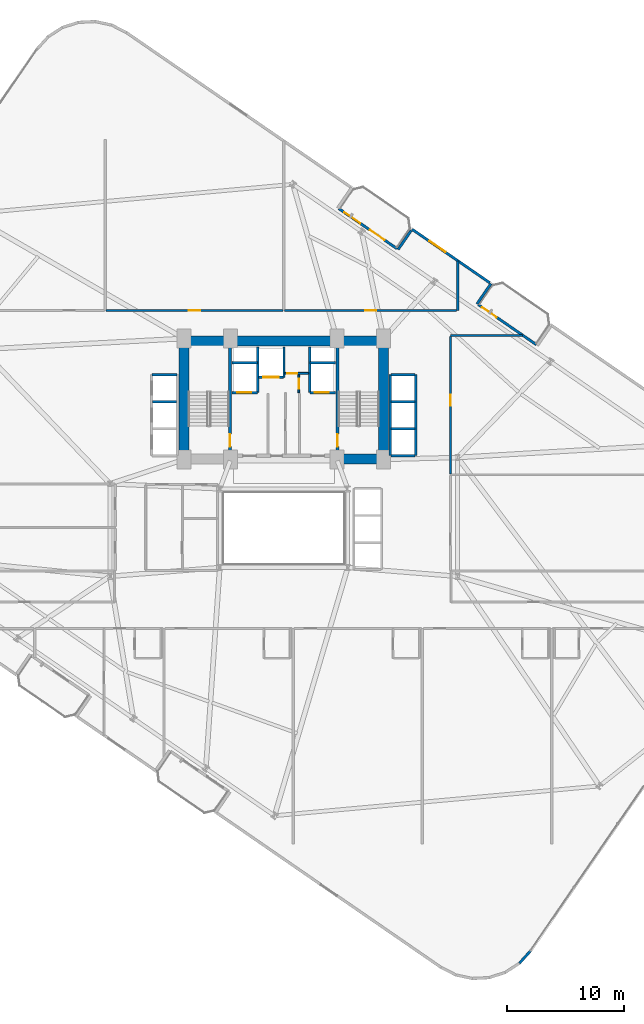
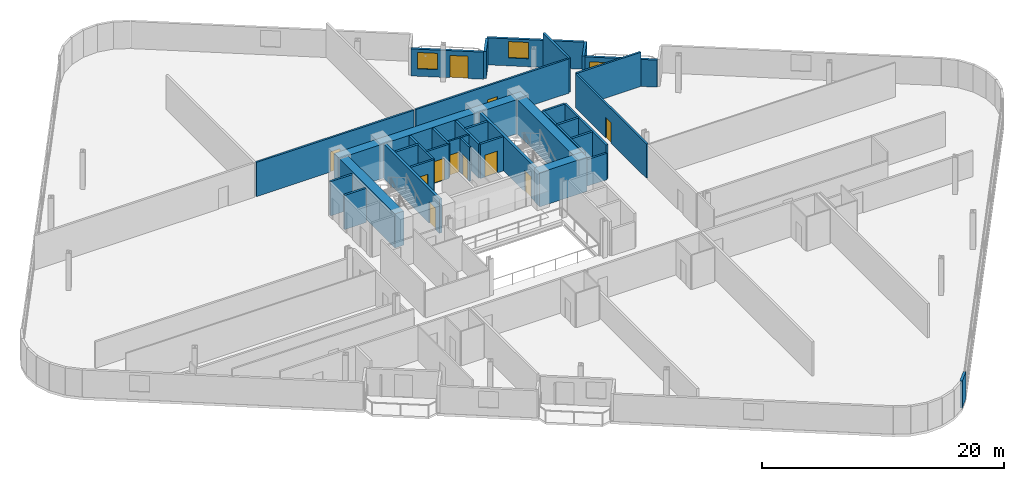
# One storey, part 19 of 24: 35 walls, 12 doors, 2 windows, 14 openings.
"""IFC4 building model written with IfcOpenShell, lengths in metres."""

from ifc_helpers import new_model, si_unit, direction, frame, frame_2d, origin, place, context, subcontext, project, spatial, rectangle, extrude, material, layer, layer_set, type_object, element, fill, save


model = new_model("IFC4")

# Units and contexts
model_context = context("Model", 3, precision=1e-05, world=origin(), true_north=direction((0.0, 1.0)))
body_context = subcontext(model_context, "Body", "Model", "MODEL_VIEW")
ifc_project = project(units=[si_unit("LENGTHUNIT", "METRE"), si_unit("AREAUNIT", "SQUARE_METRE"), si_unit("VOLUMEUNIT", "CUBIC_METRE"), si_unit("PLANEANGLEUNIT", "RADIAN"), si_unit("MASSUNIT", "GRAM", prefix="KILO")], contexts=[model_context])

# Site, building, storey
site_placement = place(None, origin())
site = spatial("IfcSite", under=ifc_project, at=site_placement, CompositionType="ELEMENT")
building_placement = place(site_placement, origin())
building = spatial("IfcBuilding", under=site, at=building_placement, Name="Varnelok Gate Tower", CompositionType="ELEMENT")
storey_placement = place(building_placement, frame((0.0, 0.0, 38.10009765625)))
storey = spatial("IfcBuildingStorey", under=building, at=storey_placement, Name="L08", CompositionType="ELEMENT", Elevation=38.10009765625)

# Wall, openings, door, window
ifc_material_1 = material(Name="Concrete C45/55", Category="concrete")
ifc_layer_1 = layer(ifc_material_1, 0.219970703125)
ifc_layer_set_1 = layer_set([ifc_layer_1], Name="Concrete C45/55")
wall_type_1 = type_object("IfcWallType", Name="EW-BALC-220", PredefinedType="SOLIDWALL", material=ifc_layer_set_1)
wall_1_placement = place(storey_placement, frame((43.898193359375, 50.1015625, 0.0), z_axis=(0.0, 0.0, 1.0), x_axis=(0.823534636215, -0.567265989598, 0.0)))
wall_1 = element("IfcWall", 1, at=wall_1_placement, inside=storey, type_object=wall_type_1, Name="L08 North Terrace Envelope Wall 3", PredefinedType="SOLIDWALL", context=body_context, shape_type="SweptSolid", body=[
    extrude(rectangle(XDim=6.0, YDim=0.219970703125, at=frame_2d((3.0, 0.0))), origin(), (0.0, 0.0, 1.0), 2.72998046875),
])
opening_1_placement = place(wall_1_placement, frame((3.2119140625, 0.0, 0.0)))
opening_1 = element("IfcOpeningElement", 2, at=opening_1_placement, cuts=wall_1, Name="Opening BD-1", PredefinedType="OPENING", context=body_context, shape_type="SweptSolid", body=[
    extrude(rectangle(XDim=1.5, YDim=2.25, at=frame_2d((0.75, 1.125))), frame((0.0, 0.119873046875, 0.0), z_axis=(0.0, -1.0, 0.0), x_axis=(1.0, 0.0, 0.0)), (0.0, 0.0, 1.0), 0.239990234375),
])
opening_2_placement = place(wall_1_placement, frame((0.550048828125, 0.0, 0.75)))
opening_2 = element("IfcOpeningElement", 3, at=opening_2_placement, cuts=wall_1, Name="Opening WN3", PredefinedType="OPENING", context=body_context, shape_type="SweptSolid", body=[
    extrude(rectangle(XDim=1.64990234375, YDim=1.64990234375, at=frame_2d((0.824951171875, 0.824951171875))), frame((0.0, 0.119873046875, 0.0), z_axis=(0.0, -1.0, 0.0), x_axis=(1.0, 0.0, 0.0)), (0.0, 0.0, 1.0), 0.239990234375),
])
ifc_material_2 = material(Name="Anodized Aluminum Alloy 6063-T6", Category="aluminium")
door_type_1 = type_object("IfcDoorType", Name="DR-EXT-BALC1500", OperationType="NOTDEFINED", PredefinedType="DOOR", material=ifc_material_2)
door_1_placement = place(opening_1_placement, origin())
door_1 = element("IfcDoor", 4, at=door_1_placement, inside=storey, type_object=door_type_1, Name="L08 North Balcony Glazed Door 3", OperationType="SINGLE_SWING_RIGHT", OverallHeight=2.25, OverallWidth=1.5, PredefinedType="DOOR", context=body_context, shape_type="SweptSolid", body=[
    extrude(rectangle(XDim=1.5, YDim=2.25, at=frame_2d((0.75, 1.125))), frame((0.0, 0.02490234375, 0.0), z_axis=(0.0, -1.0, 0.0), x_axis=(1.0, 0.0, 0.0)), (0.0, 0.0, 1.0), 0.050048828125),
])
fill(opening_1, door_1)
ifc_material_3 = material(Name="Low-E Laminated Double Glazing IGU", Category="glass")
window_type = type_object("IfcWindowType", Name="WN-HTL-1650", PartitioningType="SINGLE_PANEL", PredefinedType="WINDOW", material=ifc_material_3)
window_1_placement = place(opening_2_placement, origin())
window_1 = element("IfcWindow", 5, at=window_1_placement, inside=storey, type_object=window_type, Name="L08 North Vision Window 3.1", OverallHeight=1.64990234375, OverallWidth=1.64990234375, PartitioningType="SINGLE_PANEL", PredefinedType="WINDOW", context=body_context, shape_type="SweptSolid", body=[
    extrude(rectangle(XDim=1.64990234375, YDim=1.64990234375, at=frame_2d((0.824951171875, 0.824951171875))), frame((0.0, 0.030029296875, 0.0), z_axis=(0.0, -1.0, 0.0), x_axis=(1.0, 0.0, 0.0)), (0.0, 0.0, 1.0), 0.06005859375),
])
fill(opening_2, window_1)

# Wall, opening, door
wall_2_placement = place(storey_placement, frame((55.757080078125, 41.932861328125, 0.0), z_axis=(0.0, 0.0, 1.0), x_axis=(0.823534636215, -0.567265989598, 0.0)))
wall_2 = element("IfcWall", 6, at=wall_2_placement, inside=storey, type_object=wall_type_1, Name="L08 North Terrace Envelope Wall 4", PredefinedType="SOLIDWALL", context=body_context, shape_type="SweptSolid", body=[
    extrude(rectangle(XDim=6.0, YDim=0.219970703125, at=frame_2d((3.0, 0.0))), origin(), (0.0, 0.0, 1.0), 2.72998046875),
])
opening_3_placement = place(wall_2_placement, frame((0.39990234375, 0.0, 0.0)))
opening_3 = element("IfcOpeningElement", 7, at=opening_3_placement, cuts=wall_2, Name="Opening BD-1", PredefinedType="OPENING", context=body_context, shape_type="SweptSolid", body=[
    extrude(rectangle(XDim=1.5, YDim=2.25, at=frame_2d((0.75, 1.125))), frame((0.0, 0.119873046875, 0.0), z_axis=(0.0, -1.0, 0.0), x_axis=(1.0, 0.0, 0.0)), (0.0, 0.0, 1.0), 0.239990234375),
])
door_2_placement = place(opening_3_placement, origin())
door_2 = element("IfcDoor", 8, at=door_2_placement, inside=storey, type_object=door_type_1, Name="L08 North Balcony Glazed Door 4", OperationType="SINGLE_SWING_LEFT", OverallHeight=2.25, OverallWidth=1.5, PredefinedType="DOOR", context=body_context, shape_type="SweptSolid", body=[
    extrude(rectangle(XDim=1.5, YDim=2.25, at=frame_2d((0.75, 1.125))), frame((0.0, 0.02490234375, 0.0), z_axis=(0.0, -1.0, 0.0), x_axis=(1.0, 0.0, 0.0)), (0.0, 0.0, 1.0), 0.050048828125),
])
fill(opening_3, door_2)

# Walls
wall_3_placement = place(storey_placement, frame((59.26611328125, -14.13525390625, 0.0), z_axis=(0.0, 0.0, 1.0), x_axis=(0.669866433955, 0.742481623113, 0.0)))
element("IfcWall", 9, at=wall_3_placement, inside=storey, type_object=wall_type_1, Name="L08 Perimeter Facade Closure Wall 19", PredefinedType="SOLIDWALL", context=body_context, shape_type="SweptSolid", body=[
    extrude(rectangle(XDim=1.4052734375, YDim=0.219970703125, at=frame_2d((0.70263671875, 0.0))), origin(), (0.0, 0.0, 1.0), 2.72998046875),
])
wall_4_placement = place(storey_placement, frame((55.652587890625, 41.99267578125, 0.0), z_axis=(0.0, 0.0, 1.0), x_axis=(0.567273696173, 0.823529327729, 0.0)))
element("IfcWall", 10, at=wall_4_placement, inside=storey, type_object=wall_type_1, Name="L08 Perimeter Facade Closure Wall 28", PredefinedType="SOLIDWALL", context=body_context, shape_type="SweptSolid", body=[
    extrude(rectangle(XDim=2.099853515625, YDim=0.219970703125, at=frame_2d((1.0498046875, 0.0))), origin(), (0.0, 0.0, 1.0), 2.72998046875),
])

# Wall, opening, window
wall_5_placement = place(storey_placement, frame((56.740966796875, 43.79296875, 0.0), z_axis=(0.0, 0.0, 1.0), x_axis=(-0.823530942962, 0.56727135128, 0.0)))
wall_5 = element("IfcWall", 11, at=wall_5_placement, inside=storey, type_object=wall_type_1, Name="L08 Perimeter Facade Closure Wall 29", PredefinedType="SOLIDWALL", context=body_context, shape_type="SweptSolid", body=[
    extrude(rectangle(XDim=8.03515625, YDim=0.219970703125, at=frame_2d((4.017578125, 0.0))), origin(), (0.0, 0.0, 1.0), 2.72998046875),
])
opening_4_placement = place(wall_5_placement, frame((4.59716796875, 0.0, 0.800048828125)))
opening_4 = element("IfcOpeningElement", 12, at=opening_4_placement, cuts=wall_5, Name="Opening WN3", PredefinedType="OPENING", context=body_context, shape_type="SweptSolid", body=[
    extrude(rectangle(XDim=1.64990234375, YDim=1.64990234375, at=frame_2d((0.824951171875, 0.824951171875))), frame((0.0, 0.119873046875, 0.0), z_axis=(0.0, -1.0, 0.0), x_axis=(1.0, 0.0, 0.0)), (0.0, 0.0, 1.0), 0.239990234375),
])
window_2_placement = place(opening_4_placement, origin())
window_2 = element("IfcWindow", 13, at=window_2_placement, inside=storey, type_object=window_type, Name="L08 Perimeter Vision Window 29", OverallHeight=1.64990234375, OverallWidth=1.64990234375, PartitioningType="SINGLE_PANEL", PredefinedType="WINDOW", context=body_context, shape_type="SweptSolid", body=[
    extrude(rectangle(XDim=1.64990234375, YDim=1.64990234375, at=frame_2d((0.824951171875, 0.824951171875))), frame((0.0, 0.030029296875, 0.0), z_axis=(0.0, -1.0, 0.0), x_axis=(1.0, 0.0, 0.0)), (0.0, 0.0, 1.0), 0.06005859375),
])
fill(opening_4, window_2)

# Wall
wall_6_placement = place(storey_placement, frame((50.052978515625, 48.248046875, 0.0), z_axis=(0.0, 0.0, 1.0), x_axis=(-0.567273565974, -0.823529417415, 0.0)))
element("IfcWall", 14, at=wall_6_placement, inside=storey, type_object=wall_type_1, Name="L08 Perimeter Facade Closure Wall 30", PredefinedType="SOLIDWALL", context=body_context, shape_type="SweptSolid", body=[
    extrude(rectangle(XDim=1.97509765625, YDim=0.219970703125, at=frame_2d((0.987548828125, 0.0))), origin(), (0.0, 0.0, 1.0), 2.72998046875),
])

# Wall, opening, door
ifc_material_4 = material(Name="Gypsum Plasterboard Acoustic Partition", Category="gypsum")
ifc_layer_2 = layer(ifc_material_4, 0.179931640625)
ifc_layer_set_2 = layer_set([ifc_layer_2], Name="Gypsum Plasterboard Acoustic Partition")
wall_type_2 = type_object("IfcWallType", Name="PW-CORR-180", PredefinedType="PARTITIONING", material=ifc_layer_set_2)
wall_7_placement = place(storey_placement, frame((24.080078125, 41.429931640625, 0.0), z_axis=(0.0, 0.0, 1.0), x_axis=(1.0, 0.0, 0.0)))
wall_7 = element("IfcWall", 15, at=wall_7_placement, inside=storey, type_object=wall_type_2, Name="Interior Partition", PredefinedType="PARTITIONING", context=body_context, shape_type="SweptSolid", body=[
    extrude(rectangle(XDim=15.0400390625, YDim=0.179931640625, at=frame_2d((7.52001953125, 0.0))), origin(), (0.0, 0.0, 1.0), 3.449951171875),
])
opening_5_placement = place(wall_7_placement, frame((7.044921875, 0.0, 0.0)))
opening_5 = element("IfcOpeningElement", 16, at=opening_5_placement, cuts=wall_7, Name="Opening D-I2", PredefinedType="OPENING", context=body_context, shape_type="SweptSolid", body=[
    extrude(rectangle(XDim=0.949951171875, YDim=2.050048828125, at=frame_2d((0.47509765625, 1.02490234375))), frame((0.0, 0.099853515625, 0.0), z_axis=(0.0, -1.0, 0.0), x_axis=(1.0, 0.0, 0.0)), (0.0, 0.0, 1.0), 0.199951171875),
])
ifc_material_5 = material(Name="Engineered Hardwood Timber", Category="wood")
door_type_2 = type_object("IfcDoorType", Name="DR-INT-950", OperationType="NOTDEFINED", PredefinedType="DOOR", material=ifc_material_5)
door_3_placement = place(opening_5_placement, origin())
door_3 = element("IfcDoor", 17, at=door_3_placement, inside=storey, type_object=door_type_2, Name="L08 Executive Business Office 2 Door", OperationType="SINGLE_SWING_LEFT", OverallHeight=2.050048828125, OverallWidth=0.949951171875, PredefinedType="DOOR", context=body_context, shape_type="SweptSolid", body=[
    extrude(rectangle(XDim=0.949951171875, YDim=2.050048828125, at=frame_2d((0.47509765625, 1.02490234375))), frame((0.0, 0.02490234375, 0.0), z_axis=(0.0, -1.0, 0.0), x_axis=(1.0, 0.0, 0.0)), (0.0, 0.0, 1.0), 0.050048828125),
])
fill(opening_5, door_3)

wall_8_placement = place(storey_placement, frame((39.280029296875, 41.429931640625, 0.0), z_axis=(0.0, 0.0, 1.0), x_axis=(1.0, 0.0, 0.0)))
wall_8 = element("IfcWall", 18, at=wall_8_placement, inside=storey, type_object=wall_type_2, Name="Interior Partition", PredefinedType="PARTITIONING", context=body_context, shape_type="SweptSolid", body=[
    extrude(rectangle(XDim=14.639892578125, YDim=0.179931640625, at=frame_2d((7.31982421875, 0.0))), origin(), (0.0, 0.0, 1.0), 3.449951171875),
])
opening_6_placement = place(wall_8_placement, frame((6.844970703125, 0.0, 0.0)))
opening_6 = element("IfcOpeningElement", 19, at=opening_6_placement, cuts=wall_8, Name="Opening D-I2", PredefinedType="OPENING", context=body_context, shape_type="SweptSolid", body=[
    extrude(rectangle(XDim=0.949951171875, YDim=2.050048828125, at=frame_2d((0.47509765625, 1.02490234375))), frame((0.0, 0.099853515625, 0.0), z_axis=(0.0, -1.0, 0.0), x_axis=(1.0, 0.0, 0.0)), (0.0, 0.0, 1.0), 0.199951171875),
])
door_4_placement = place(opening_6_placement, origin())
door_4 = element("IfcDoor", 20, at=door_4_placement, inside=storey, type_object=door_type_2, Name="L08 Hotel Business Center Door", OperationType="SINGLE_SWING_LEFT", OverallHeight=2.050048828125, OverallWidth=0.949951171875, PredefinedType="DOOR", context=body_context, shape_type="SweptSolid", body=[
    extrude(rectangle(XDim=0.949951171875, YDim=2.050048828125, at=frame_2d((0.47509765625, 1.02490234375))), frame((0.0, 0.02490234375, 0.0), z_axis=(0.0, -1.0, 0.0), x_axis=(1.0, 0.0, 0.0)), (0.0, 0.0, 1.0), 0.050048828125),
])
fill(opening_6, door_4)

wall_9_placement = place(storey_placement, frame((53.389892578125, 27.530029296875, 0.0), z_axis=(0.0, 0.0, 1.0), x_axis=(0.0, 1.0, 0.0)))
wall_9 = element("IfcWall", 21, at=wall_9_placement, inside=storey, type_object=wall_type_2, Name="Interior Partition", PredefinedType="PARTITIONING", context=body_context, shape_type="SweptSolid", body=[
    extrude(rectangle(XDim=11.669921875, YDim=0.179931640625, at=frame_2d((5.8349609375, 0.0))), origin(), (0.0, 0.0, 1.0), 3.449951171875),
])
opening_7_placement = place(wall_9_placement, frame((5.800048828125, 0.0, 0.0)))
opening_7 = element("IfcOpeningElement", 22, at=opening_7_placement, cuts=wall_9, Name="Opening D-I3", PredefinedType="OPENING", context=body_context, shape_type="SweptSolid", body=[
    extrude(rectangle(XDim=0.919921875, YDim=2.050048828125, at=frame_2d((0.4599609375, 1.02490234375))), frame((0.0, 0.099853515625, 0.0), z_axis=(0.0, -1.0, 0.0), x_axis=(1.0, 0.0, 0.0)), (0.0, 0.0, 1.0), 0.199951171875),
])
door_type_3 = type_object("IfcDoorType", Name="DR-INT-920", OperationType="NOTDEFINED", PredefinedType="DOOR", material=ifc_material_5)
door_5_placement = place(opening_7_placement, origin())
door_5 = element("IfcDoor", 23, at=door_5_placement, inside=storey, type_object=door_type_3, Name="L08 East Suite 2 Door", OperationType="SINGLE_SWING_RIGHT", OverallHeight=2.050048828125, OverallWidth=0.919921875, PredefinedType="DOOR", context=body_context, shape_type="SweptSolid", body=[
    extrude(rectangle(XDim=0.919921875, YDim=2.050048828125, at=frame_2d((0.4599609375, 1.02490234375))), frame((0.0, 0.02490234375, 0.0), z_axis=(0.0, -1.0, 0.0), x_axis=(1.0, 0.0, 0.0)), (0.0, 0.0, 1.0), 0.050048828125),
])
fill(opening_7, door_5)

# Wall
wall_10_placement = place(storey_placement, frame((53.389892578125, 39.300048828125, 0.0), z_axis=(0.0, 0.0, 1.0), x_axis=(1.0, 0.0, 0.0)))
element("IfcWall", 24, at=wall_10_placement, inside=storey, type_object=wall_type_2, Name="Interior Partition", PredefinedType="PARTITIONING", context=body_context, shape_type="SweptSolid", body=[
    extrude(rectangle(XDim=6.136474609375, YDim=0.179931640625, at=frame_2d((3.068359375, 0.0))), origin(), (0.0, 0.0, 1.0), 3.449951171875),
])

# Wall, opening, door
ifc_layer_3 = layer(ifc_material_4, 0.14990234375)
ifc_layer_set_3 = layer_set([ifc_layer_3], Name="Gypsum Plasterboard Acoustic Partition")
wall_type_3 = type_object("IfcWallType", Name="PW-PART-150", PredefinedType="PARTITIONING", material=ifc_layer_set_3)
wall_11_placement = place(storey_placement, frame((39.300048828125, 36.080078125, 0.0), z_axis=(0.0, 0.0, 1.0), x_axis=(1.0, 0.0, 0.0)))
wall_11 = element("IfcWall", 25, at=wall_11_placement, inside=storey, type_object=wall_type_3, Name="L08 Electrical Closet South Wall", PredefinedType="PARTITIONING", context=body_context, shape_type="SweptSolid", body=[
    extrude(rectangle(XDim=2.02001953125, YDim=0.14990234375, at=frame_2d((1.010009765625, 0.0))), origin(), (0.0, 0.0, 1.0), 3.449951171875),
])
opening_8_placement = place(wall_11_placement, frame((0.179931640625, 0.0, 0.0)))
opening_8 = element("IfcOpeningElement", 26, at=opening_8_placement, cuts=wall_11, Name="Opening D-RS", PredefinedType="OPENING", context=body_context, shape_type="SweptSolid", body=[
    extrude(rectangle(XDim=0.85009765625, YDim=2.050048828125, at=frame_2d((0.425048828125, 1.02490234375))), frame((0.0, 0.0849609375, 0.0), z_axis=(0.0, -1.0, 0.0), x_axis=(1.0, 0.0, 0.0)), (0.0, 0.0, 1.0), 0.169921875),
])
ifc_material_6 = material(Name="Galvanized Steel Grade S350GD", Category="steel")
door_type_4 = type_object("IfcDoorType", Name="DR-RISER-850", OperationType="NOTDEFINED", PredefinedType="DOOR", material=ifc_material_6)
door_6_placement = place(opening_8_placement, origin())
door_6 = element("IfcDoor", 27, at=door_6_placement, inside=storey, type_object=door_type_4, Name="L08 Electrical Closet Door", OperationType="SINGLE_SWING_RIGHT", OverallHeight=2.050048828125, OverallWidth=0.85009765625, PredefinedType="DOOR", context=body_context, shape_type="SweptSolid", body=[
    extrude(rectangle(XDim=0.85009765625, YDim=2.050048828125, at=frame_2d((0.425048828125, 1.02490234375))), frame((0.0, 0.02490234375, 0.0), z_axis=(0.0, -1.0, 0.0), x_axis=(1.0, 0.0, 0.0)), (0.0, 0.0, 1.0), 0.050048828125),
])
fill(opening_8, door_6)

wall_12_placement = place(storey_placement, frame((40.47998046875, 34.43994140625, 0.0), z_axis=(0.0, 0.0, 1.0), x_axis=(0.0, 1.0, 0.0)))
wall_12 = element("IfcWall", 28, at=wall_12_placement, inside=storey, type_object=wall_type_3, Name="L08 Telecoms Closet West Wall", PredefinedType="PARTITIONING", context=body_context, shape_type="SweptSolid", body=[
    extrude(rectangle(XDim=1.52001953125, YDim=0.14990234375, at=frame_2d((0.760009765625, 0.0))), origin(), (0.0, 0.0, 1.0), 3.449951171875),
])
opening_9_placement = place(wall_12_placement, frame((0.320068359375, 0.0, 0.0)))
opening_9 = element("IfcOpeningElement", 29, at=opening_9_placement, cuts=wall_12, Name="Opening D-RS", PredefinedType="OPENING", context=body_context, shape_type="SweptSolid", body=[
    extrude(rectangle(XDim=0.85009765625, YDim=2.050048828125, at=frame_2d((0.425048828125, 1.02490234375))), frame((0.0, 0.0849609375, 0.0), z_axis=(0.0, -1.0, 0.0), x_axis=(1.0, 0.0, 0.0)), (0.0, 0.0, 1.0), 0.169921875),
])
door_7_placement = place(opening_9_placement, origin())
door_7 = element("IfcDoor", 30, at=door_7_placement, inside=storey, type_object=door_type_4, Name="L08 Telecoms Closet Door", OperationType="SINGLE_SWING_LEFT", OverallHeight=2.050048828125, OverallWidth=0.85009765625, PredefinedType="DOOR", context=body_context, shape_type="SweptSolid", body=[
    extrude(rectangle(XDim=0.85009765625, YDim=2.050048828125, at=frame_2d((0.425048828125, 1.02490234375))), frame((0.0, 0.02490234375, 0.0), z_axis=(0.0, -1.0, 0.0), x_axis=(1.0, 0.0, 0.0)), (0.0, 0.0, 1.0), 0.050048828125),
])
fill(opening_9, door_7)

# Wall
ifc_layer_4 = layer(ifc_material_4, 0.205078125)
ifc_layer_set_4 = layer_set([ifc_layer_4], Name="Gypsum Plasterboard Acoustic Partition")
wall_type_4 = type_object("IfcWallType", Name="PW-PARTY-200", PredefinedType="PARTITIONING", material=ifc_layer_set_4)
wall_13_placement = place(storey_placement, frame((54.0, 41.429931640625, 0.0), z_axis=(0.0, 0.0, 1.0), x_axis=(0.0, 1.0, 0.0)))
element("IfcWall", 31, at=wall_13_placement, inside=storey, type_object=wall_type_4, Name="L08 North Party Wall 3", PredefinedType="PARTITIONING", context=body_context, shape_type="SweptSolid", body=[
    extrude(rectangle(XDim=4.226806640625, YDim=0.205078125, at=frame_2d((2.11328125, 0.0))), origin(), (0.0, 0.0, 1.0), 3.449951171875),
])

# Wall, opening, door
ifc_material_7 = material(Name="Concrete C35/45", Category="concrete")
ifc_layer_5 = layer(ifc_material_7, 0.199951171875)
ifc_layer_set_5 = layer_set([ifc_layer_5], Name="Concrete C35/45")
wall_type_5 = type_object("IfcWallType", Name="PW-SHAFT-200", PredefinedType="PARTITIONING", material=ifc_layer_set_5)
wall_14_placement = place(storey_placement, frame((34.800048828125, 34.43994140625, 0.0), z_axis=(0.0, 0.0, 1.0), x_axis=(1.0, 0.0, 0.0)))
wall_14 = element("IfcWall", 32, at=wall_14_placement, inside=storey, type_object=wall_type_5, Name="L08 FF1 Shaft Front Wall", PredefinedType="PARTITIONING", context=body_context, shape_type="SweptSolid", body=[
    extrude(rectangle(XDim=2.179931640625, YDim=0.199951171875, at=frame_2d((1.08984375, 0.0))), origin(), (0.0, 0.0, 1.0), 3.449951171875),
])
opening_10_placement = place(wall_14_placement, frame((0.419921875, 0.0, 0.0)))
opening_10 = element("IfcOpeningElement", 33, at=opening_10_placement, cuts=wall_14, Name="Opening LD-FF1", PredefinedType="OPENING", context=body_context, shape_type="SweptSolid", body=[
    extrude(rectangle(XDim=1.199951171875, YDim=2.199951171875, at=frame_2d((0.60009765625, 1.10009765625))), frame((0.0, 0.10986328125, 0.0), z_axis=(0.0, -1.0, 0.0), x_axis=(1.0, 0.0, 0.0)), (0.0, 0.0, 1.0), 0.219970703125),
])
door_type_5 = type_object("IfcDoorType", Name="DR-LIFT-FF1200", OperationType="SLIDING_TO_LEFT", PredefinedType="DOOR", material=ifc_material_6)
door_8_placement = place(opening_10_placement, origin())
door_8 = element("IfcDoor", 34, at=door_8_placement, inside=storey, type_object=door_type_5, Name="L08 Firefighting Lift Landing Door LD-FF1", OperationType="SLIDING_TO_LEFT", OverallHeight=2.199951171875, OverallWidth=1.199951171875, PredefinedType="DOOR", context=body_context, shape_type="SweptSolid", body=[
    extrude(rectangle(XDim=1.199951171875, YDim=2.199951171875, at=frame_2d((0.60009765625, 1.10009765625))), frame((0.0, 0.02490234375, 0.0), z_axis=(0.0, -1.0, 0.0), x_axis=(1.0, 0.0, 0.0)), (0.0, 0.0, 1.0), 0.050048828125),
])
fill(opening_10, door_8)

# Walls
wall_15_placement = place(storey_placement, frame((34.800048828125, 36.97998046875, 0.0), z_axis=(0.0, 0.0, 1.0), x_axis=(1.0, 0.0, 0.0)))
element("IfcWall", 35, at=wall_15_placement, inside=storey, type_object=wall_type_5, Name="L08 FF1 Shaft North Wall", PredefinedType="PARTITIONING", context=body_context, shape_type="SweptSolid", body=[
    extrude(rectangle(XDim=2.179931640625, YDim=0.199951171875, at=frame_2d((1.08984375, 0.0))), origin(), (0.0, 0.0, 1.0), 3.449951171875),
])
wall_16_placement = place(storey_placement, frame((37.0, 34.43994140625, 0.0), z_axis=(0.0, 0.0, 1.0), x_axis=(0.0, 1.0, 0.0)))
element("IfcWall", 36, at=wall_16_placement, inside=storey, type_object=wall_type_5, Name="L08 FF1 Shaft Side Wall", PredefinedType="PARTITIONING", context=body_context, shape_type="SweptSolid", body=[
    extrude(rectangle(XDim=3.900146484375, YDim=0.199951171875, at=frame_2d((1.9501953125, 0.0))), origin(), (0.0, 0.0, 1.0), 3.449951171875),
])

# Wall, opening, door
wall_17_placement = place(storey_placement, frame((41.419921875, 34.43994140625, 0.0), z_axis=(0.0, 0.0, 1.0), x_axis=(1.0, 0.0, 0.0)))
wall_17 = element("IfcWall", 37, at=wall_17_placement, inside=storey, type_object=wall_type_5, Name="L08 FF2 Shaft Front Wall", PredefinedType="PARTITIONING", context=body_context, shape_type="SweptSolid", body=[
    extrude(rectangle(XDim=2.18017578125, YDim=0.199951171875, at=frame_2d((1.090087890625, 0.0))), origin(), (0.0, 0.0, 1.0), 3.449951171875),
])
opening_11_placement = place(wall_17_placement, frame((0.419921875, 0.0, 0.0)))
opening_11 = element("IfcOpeningElement", 38, at=opening_11_placement, cuts=wall_17, Name="Opening LD-FF2", PredefinedType="OPENING", context=body_context, shape_type="SweptSolid", body=[
    extrude(rectangle(XDim=1.199951171875, YDim=2.199951171875, at=frame_2d((0.60009765625, 1.10009765625))), frame((0.0, 0.10986328125, 0.0), z_axis=(0.0, -1.0, 0.0), x_axis=(1.0, 0.0, 0.0)), (0.0, 0.0, 1.0), 0.219970703125),
])
door_9_placement = place(opening_11_placement, origin())
door_9 = element("IfcDoor", 39, at=door_9_placement, inside=storey, type_object=door_type_5, Name="L08 Firefighting Lift Landing Door LD-FF2", OperationType="SLIDING_TO_LEFT", OverallHeight=2.199951171875, OverallWidth=1.199951171875, PredefinedType="DOOR", context=body_context, shape_type="SweptSolid", body=[
    extrude(rectangle(XDim=1.199951171875, YDim=2.199951171875, at=frame_2d((0.60009765625, 1.10009765625))), frame((0.0, 0.02490234375, 0.0), z_axis=(0.0, -1.0, 0.0), x_axis=(1.0, 0.0, 0.0)), (0.0, 0.0, 1.0), 0.050048828125),
])
fill(opening_11, door_9)

# Walls
wall_18_placement = place(storey_placement, frame((41.419921875, 36.97998046875, 0.0), z_axis=(0.0, 0.0, 1.0), x_axis=(1.0, 0.0, 0.0)))
element("IfcWall", 40, at=wall_18_placement, inside=storey, type_object=wall_type_5, Name="L08 FF2 Shaft North Wall", PredefinedType="PARTITIONING", context=body_context, shape_type="SweptSolid", body=[
    extrude(rectangle(XDim=2.18017578125, YDim=0.199951171875, at=frame_2d((1.090087890625, 0.0))), origin(), (0.0, 0.0, 1.0), 3.449951171875),
])
wall_19_placement = place(storey_placement, frame((41.39990234375, 34.43994140625, 0.0), z_axis=(0.0, 0.0, 1.0), x_axis=(0.0, 1.0, 0.0)))
element("IfcWall", 41, at=wall_19_placement, inside=storey, type_object=wall_type_5, Name="L08 FF2 Shaft Side Wall", PredefinedType="PARTITIONING", context=body_context, shape_type="SweptSolid", body=[
    extrude(rectangle(XDim=3.900146484375, YDim=0.199951171875, at=frame_2d((1.9501953125, 0.0))), origin(), (0.0, 0.0, 1.0), 3.449951171875),
])

# Wall, opening, door
wall_20_placement = place(storey_placement, frame((37.06005859375, 35.75, 0.0), z_axis=(0.0, 0.0, 1.0), x_axis=(1.0, 0.0, 0.0)))
wall_20 = element("IfcWall", 42, at=wall_20_placement, inside=storey, type_object=wall_type_5, Name="L08 SV1 Shaft Front Wall", PredefinedType="PARTITIONING", context=body_context, shape_type="SweptSolid", body=[
    extrude(rectangle(XDim=2.119873046875, YDim=0.199951171875, at=frame_2d((1.06005859375, 0.0))), origin(), (0.0, 0.0, 1.0), 3.449951171875),
])
opening_12_placement = place(wall_20_placement, frame((0.39990234375, 0.0, 0.0)))
opening_12 = element("IfcOpeningElement", 43, at=opening_12_placement, cuts=wall_20, Name="Opening LD-SV1", PredefinedType="OPENING", context=body_context, shape_type="SweptSolid", body=[
    extrude(rectangle(XDim=1.300048828125, YDim=2.199951171875, at=frame_2d((0.64990234375, 1.10009765625))), frame((0.0, 0.10986328125, 0.0), z_axis=(0.0, -1.0, 0.0), x_axis=(1.0, 0.0, 0.0)), (0.0, 0.0, 1.0), 0.219970703125),
])
door_type_6 = type_object("IfcDoorType", Name="DR-LIFT-SV1300", OperationType="SLIDING_TO_LEFT", PredefinedType="DOOR", material=ifc_material_6)
door_10_placement = place(opening_12_placement, origin())
door_10 = element("IfcDoor", 44, at=door_10_placement, inside=storey, type_object=door_type_6, Name="L08 Service Lift Landing Door LD-SV1", OperationType="SLIDING_TO_LEFT", OverallHeight=2.199951171875, OverallWidth=1.300048828125, PredefinedType="DOOR", context=body_context, shape_type="SweptSolid", body=[
    extrude(rectangle(XDim=1.300048828125, YDim=2.199951171875, at=frame_2d((0.64990234375, 1.10009765625))), frame((0.0, 0.02490234375, 0.0), z_axis=(0.0, -1.0, 0.0), x_axis=(1.0, 0.0, 0.0)), (0.0, 0.0, 1.0), 0.050048828125),
])
fill(opening_12, door_10)

# Walls
wall_21_placement = place(storey_placement, frame((39.219970703125, 35.75, 0.0), z_axis=(0.0, 0.0, 1.0), x_axis=(0.0, 1.0, 0.0)))
element("IfcWall", 45, at=wall_21_placement, inside=storey, type_object=wall_type_5, Name="L08 SV1 Shaft East Wall", PredefinedType="PARTITIONING", context=body_context, shape_type="SweptSolid", body=[
    extrude(rectangle(XDim=2.590087890625, YDim=0.199951171875, at=frame_2d((1.294921875, 0.0))), origin(), (0.0, 0.0, 1.0), 3.449951171875),
])
wall_22_placement = place(storey_placement, frame((28.02001953125, 33.675048828125, 0.0), z_axis=(0.0, 0.0, 1.0), x_axis=(1.0, 0.0, 0.0)))
element("IfcWall", 46, at=wall_22_placement, inside=storey, type_object=wall_type_5, Name="L08 PL2 Divider", PredefinedType="PARTITIONING", context=body_context, shape_type="SweptSolid", body=[
    extrude(rectangle(XDim=2.06005859375, YDim=0.199951171875, at=frame_2d((1.030029296875, 0.0))), origin(), (0.0, 0.0, 1.0), 3.449951171875),
])
wall_23_placement = place(storey_placement, frame((28.0, 35.969970703125, 0.0), z_axis=(0.0, 0.0, 1.0), x_axis=(1.0, 0.0, 0.0)))
element("IfcWall", 47, at=wall_23_placement, inside=storey, type_object=wall_type_5, Name="L08 PL Bank North Wall", PredefinedType="PARTITIONING", context=body_context, shape_type="SweptSolid", body=[
    extrude(rectangle(XDim=2.10009765625, YDim=0.199951171875, at=frame_2d((1.050048828125, 0.0))), origin(), (0.0, 0.0, 1.0), 3.449951171875),
])
for number, where, z_axis, x_axis, name in (
    (48, (48.320068359375, 31.375, 0.0), (0.0, 0.0, 1.0), (1.0, 0.0, 0.0), "L08 PM1 Divider"),
    (49, (48.320068359375, 33.675048828125, 0.0), (0.0, 0.0, 1.0), (1.0, 0.0, 0.0), "L08 PM2 Divider"),
):
    element("IfcWall", number, at=place(storey_placement, frame(where, z_axis=z_axis, x_axis=x_axis)), inside=storey, type_object=wall_type_5, Name=name, PredefinedType="PARTITIONING", context=body_context, shape_type="SweptSolid", body=[
        extrude(rectangle(XDim=2.059814453125, YDim=0.199951171875, at=frame_2d((1.02978515625, 0.0))), origin(), (0.0, 0.0, 1.0), 3.449951171875),
    ])
wall_24_placement = place(storey_placement, frame((48.320068359375, 29.080078125, 0.0), z_axis=(0.0, 0.0, 1.0), x_axis=(1.0, 0.0, 0.0)))
element("IfcWall", 50, at=wall_24_placement, inside=storey, type_object=wall_type_5, Name="L08 PM Bank South Wall", PredefinedType="PARTITIONING", context=body_context, shape_type="SweptSolid", body=[
    extrude(rectangle(XDim=2.059814453125, YDim=0.199951171875, at=frame_2d((1.02978515625, 0.0))), origin(), (0.0, 0.0, 1.0), 2.661865234375),
])
wall_25_placement = place(storey_placement, frame((48.320068359375, 35.969970703125, 0.0), z_axis=(0.0, 0.0, 1.0), x_axis=(1.0, 0.0, 0.0)))
element("IfcWall", 51, at=wall_25_placement, inside=storey, type_object=wall_type_5, Name="L08 PM Bank North Wall", PredefinedType="PARTITIONING", context=body_context, shape_type="SweptSolid", body=[
    extrude(rectangle(XDim=2.059814453125, YDim=0.199951171875, at=frame_2d((1.02978515625, 0.0))), origin(), (0.0, 0.0, 1.0), 3.449951171875),
])
for number, where, z_axis, x_axis, name in (
    (52, (48.280029296875, 29.080078125, 0.0), (0.0, 0.0, 1.0), (0.0, 1.0, 0.0), "L08 PM Bank Back Wall"),
    (53, (50.43994140625, 29.080078125, 0.0), (0.0, 0.0, 1.0), (0.0, 1.0, 0.0), "L08 PM Bank Front Wall"),
):
    element("IfcWall", number, at=place(storey_placement, frame(where, z_axis=z_axis, x_axis=x_axis)), inside=storey, type_object=wall_type_5, Name=name, PredefinedType="PARTITIONING", context=body_context, shape_type="SweptSolid", body=[
        extrude(rectangle(XDim=6.889892578125, YDim=0.199951171875, at=frame_2d((3.44482421875, 0.0))), origin(), (0.0, 0.0, 1.0), 3.449951171875),
    ])
ifc_material_8 = material(Name="Concrete C70/85", Category="concrete")
ifc_layer_6 = layer(ifc_material_8, 0.85009765625)
ifc_layer_set_6 = layer_set([ifc_layer_6], Name="Concrete C70/85")
wall_type_6 = type_object("IfcWallType", Name="SW-CORE-850", PredefinedType="SHEAR", material=ifc_layer_set_6)
wall_26_placement = place(storey_placement, frame((30.280029296875, 38.844970703125, 0.0), z_axis=(0.0, 0.0, 1.0), x_axis=(1.0, 0.0, 0.0)))
element("IfcWall", 54, at=wall_26_placement, inside=storey, type_object=wall_type_6, Name="L08 Rear Core North Shear Wall", PredefinedType="SHEAR", context=body_context, shape_type="SweptSolid", body=[
    extrude(rectangle(XDim=17.840087890625, YDim=0.85009765625, at=frame_2d((8.919921875, 0.0))), origin(), (0.0, 0.0, 1.0), 3.449951171875),
])
for number, where, z_axis, x_axis, name in (
    (55, (30.705078125, 29.199951171875, 0.0), (0.0, 0.0, 1.0), (0.0, 1.0, 0.0), "L08 Rear Core West Shear Wall"),
    (56, (47.695068359375, 29.199951171875, 0.0), (0.0, 0.0, 1.0), (0.0, 1.0, 0.0), "L08 Rear Core East Shear Wall"),
):
    element("IfcWall", number, at=place(storey_placement, frame(where, z_axis=z_axis, x_axis=x_axis)), inside=storey, type_object=wall_type_6, Name=name, PredefinedType="SHEAR", context=body_context, shape_type="SweptSolid", body=[
        extrude(rectangle(XDim=9.219970703125, YDim=0.85009765625, at=frame_2d((4.60986328125, 0.0))), origin(), (0.0, 0.0, 1.0), 3.449951171875),
    ])
wall_27_placement = place(storey_placement, frame((43.60009765625, 28.77490234375, 0.0), z_axis=(0.0, 0.0, 1.0), x_axis=(1.0, 0.0, 0.0)))
element("IfcWall", 57, at=wall_27_placement, inside=storey, type_object=wall_type_6, Name="L08 Rear Core South-East Shear Wall", PredefinedType="SHEAR", context=body_context, shape_type="SweptSolid", body=[
    extrude(rectangle(XDim=4.52001953125, YDim=0.85009765625, at=frame_2d((2.260009765625, 0.0))), origin(), (0.0, 0.0, 1.0), 3.449951171875),
])

# Wall, opening, door
ifc_material_9 = material(Name="Concrete C60/75", Category="concrete")
ifc_layer_7 = layer(ifc_material_9, 0.25)
ifc_layer_set_7 = layer_set([ifc_layer_7], Name="Concrete C60/75")
wall_type_7 = type_object("IfcWallType", Name="SW-SHAFT-250", PredefinedType="SHEAR", material=ifc_layer_set_7)
wall_28_placement = place(storey_placement, frame((34.639892578125, 29.199951171875, 0.0), z_axis=(0.0, 0.0, 1.0), x_axis=(0.0, 1.0, 0.0)))
wall_28 = element("IfcWall", 58, at=wall_28_placement, inside=storey, type_object=wall_type_7, Name="L08 Stair ST-1 East Shear Wall", PredefinedType="SHEAR", context=body_context, shape_type="SweptSolid", body=[
    extrude(rectangle(XDim=9.219970703125, YDim=0.25, at=frame_2d((4.60986328125, 0.0))), origin(), (0.0, 0.0, 1.0), 3.449951171875),
])
opening_13_placement = place(wall_28_placement, frame((0.64990234375, 0.0, 0.0)))
opening_13 = element("IfcOpeningElement", 59, at=opening_13_placement, cuts=wall_28, Name="Opening D-ST", PredefinedType="OPENING", context=body_context, shape_type="SweptSolid", body=[
    extrude(rectangle(XDim=1.050048828125, YDim=2.14990234375, at=frame_2d((0.52490234375, 1.074951171875))), frame((0.0, 0.135009765625, 0.0), z_axis=(0.0, -1.0, 0.0), x_axis=(1.0, 0.0, 0.0)), (0.0, 0.0, 1.0), 0.27001953125),
])
door_type_7 = type_object("IfcDoorType", Name="DR-STAIR-1050", OperationType="NOTDEFINED", PredefinedType="DOOR", material=ifc_material_6)
door_11_placement = place(opening_13_placement, origin())
door_11 = element("IfcDoor", 60, at=door_11_placement, inside=storey, type_object=door_type_7, Name="L08 Exit Stair ST-1 Fire Door", OperationType="SINGLE_SWING_LEFT", OverallHeight=2.14990234375, OverallWidth=1.050048828125, PredefinedType="DOOR", context=body_context, shape_type="SweptSolid", body=[
    extrude(rectangle(XDim=1.050048828125, YDim=2.14990234375, at=frame_2d((0.52490234375, 1.074951171875))), frame((0.0, 0.02490234375, 0.0), z_axis=(0.0, -1.0, 0.0), x_axis=(1.0, 0.0, 0.0)), (0.0, 0.0, 1.0), 0.050048828125),
])
fill(opening_13, door_11)

wall_29_placement = place(storey_placement, frame((43.760009765625, 29.199951171875, 0.0), z_axis=(0.0, 0.0, 1.0), x_axis=(0.0, 1.0, 0.0)))
wall_29 = element("IfcWall", 61, at=wall_29_placement, inside=storey, type_object=wall_type_7, Name="L08 Stair ST-2 West Shear Wall", PredefinedType="SHEAR", context=body_context, shape_type="SweptSolid", body=[
    extrude(rectangle(XDim=9.219970703125, YDim=0.25, at=frame_2d((4.60986328125, 0.0))), origin(), (0.0, 0.0, 1.0), 3.449951171875),
])
opening_14_placement = place(wall_29_placement, frame((0.64990234375, 0.0, 0.0)))
opening_14 = element("IfcOpeningElement", 62, at=opening_14_placement, cuts=wall_29, Name="Opening D-ST", PredefinedType="OPENING", context=body_context, shape_type="SweptSolid", body=[
    extrude(rectangle(XDim=1.050048828125, YDim=2.14990234375, at=frame_2d((0.52490234375, 1.074951171875))), frame((0.0, 0.135009765625, 0.0), z_axis=(0.0, -1.0, 0.0), x_axis=(1.0, 0.0, 0.0)), (0.0, 0.0, 1.0), 0.27001953125),
])
door_12_placement = place(opening_14_placement, origin())
door_12 = element("IfcDoor", 63, at=door_12_placement, inside=storey, type_object=door_type_7, Name="L08 Exit Stair ST-2 Fire Door", OperationType="SINGLE_SWING_RIGHT", OverallHeight=2.14990234375, OverallWidth=1.050048828125, PredefinedType="DOOR", context=body_context, shape_type="SweptSolid", body=[
    extrude(rectangle(XDim=1.050048828125, YDim=2.14990234375, at=frame_2d((0.52490234375, 1.074951171875))), frame((0.0, 0.02490234375, 0.0), z_axis=(0.0, -1.0, 0.0), x_axis=(1.0, 0.0, 0.0)), (0.0, 0.0, 1.0), 0.050048828125),
])
fill(opening_14, door_12)

save(model, "model.ifc")
